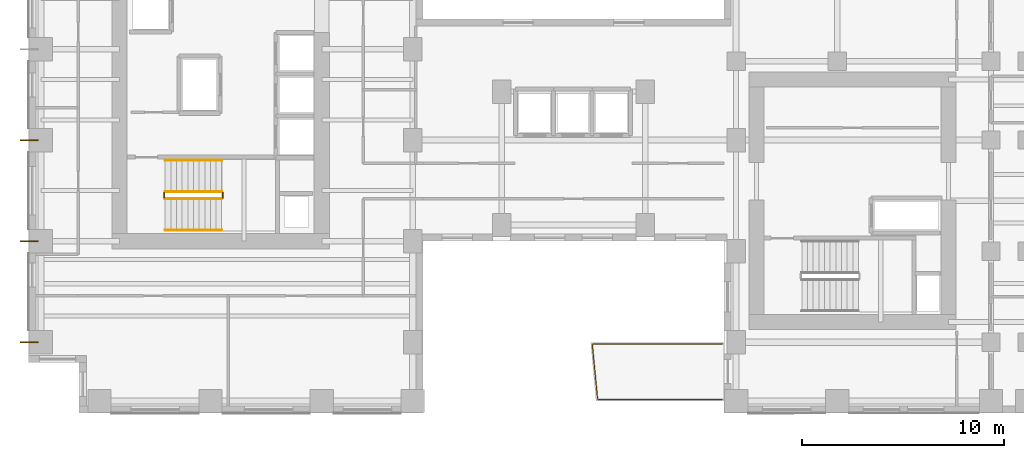
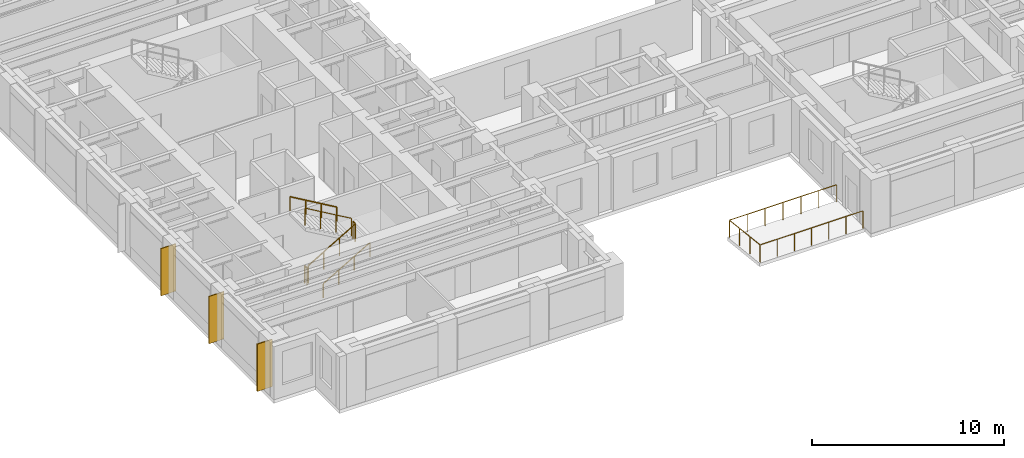
# One storey, part 10 of 12: 7 railings, 3 coverings.
"""IFC4 building model written with IfcOpenShell, lengths in metres."""

import ifcopenshell
import ifcopenshell.guid

model = None  # the IFC model being written
_history = None  # IfcOwnerHistory: only IFC2X3 demands one
_inside = {}  # id of a spatial element -> (the spatial element, [elements in it])
_under = {}  # id of a project, library or spatial element -> (it, [spatial elements below it])
_declared = {}  # id of a project -> (the project, [libraries it declares])
_typed = {}  # id of a type object -> (the type object, [elements of that type])
_made_of = {}  # id of a material, layer set ... -> (it, [elements and type objects made of it])


def new_model(schema):
    """Start an empty IFC model of exactly this schema.

    Asked for "IFC4X3", IfcOpenShell would pick the latest addendum, in which some entities
    have other attributes; the version numbers below select the first issue.
    IFC2X3 requires an IfcOwnerHistory on every rooted entity: one is made here for all.
    """
    global model, _history
    if schema == "IFC4X3":
        model = ifcopenshell.file(schema_version=(4, 3, 0, 0))
    else:
        model = ifcopenshell.file(schema=schema)
    _inside.clear()
    _under.clear()
    _declared.clear()
    _typed.clear()
    _made_of.clear()
    _history = None
    if model.schema == "IFC2X3":
        org = make("IfcOrganization", Name="unknown")
        user = make(
            "IfcPersonAndOrganization",
            ThePerson=make("IfcPerson", FamilyName="unknown"),
            TheOrganization=org,
        )
        app = make(
            "IfcApplication",
            ApplicationDeveloper=org,
            Version="unknown",
            ApplicationFullName="unknown",
            ApplicationIdentifier="unknown",
        )
        _history = make(
            "IfcOwnerHistory",
            OwningUser=user,
            OwningApplication=app,
            ChangeAction="ADDED",
            CreationDate=0,
        )
    return model


def make(cls, **values):
    """One entity of the class cls with the attributes given. An attribute that is None is left unset."""
    return model.create_entity(
        cls, **{name: value for name, value in values.items() if value is not None}
    )


def rooted(cls, **values):
    """An entity with a GlobalId (a new one), such as an element, a storey or a relation."""
    return make(cls, GlobalId=ifcopenshell.guid.new(), OwnerHistory=_history, **values)


def si_unit(unit_type, name, prefix=None):
    """IfcSIUnit, for example si_unit("LENGTHUNIT", "METRE", prefix="MILLI")."""
    return make("IfcSIUnit", UnitType=unit_type, Prefix=prefix, Name=name)


def assignment(units):
    """IfcUnitAssignment: the units of a project."""
    return None if units is None else make("IfcUnitAssignment", Units=units)


def point(xyz):
    """IfcCartesianPoint."""
    return None if xyz is None else make("IfcCartesianPoint", Coordinates=xyz)


def direction(xyz):
    """IfcDirection."""
    return None if xyz is None else make("IfcDirection", DirectionRatios=xyz)


def frame(location, z_axis=None, x_axis=None):
    """IfcAxis2Placement3D, a coordinate frame: its origin and axes. An axis left out is left unset."""
    return make(
        "IfcAxis2Placement3D",
        Location=point(location),
        Axis=direction(z_axis),
        RefDirection=direction(x_axis),
    )


def frame_2d(location, x_axis=None):
    """IfcAxis2Placement2D, a coordinate frame in the plane: its origin and x axis."""
    return make(
        "IfcAxis2Placement2D", Location=point(location), RefDirection=direction(x_axis)
    )


def origin():
    """The frame at (0, 0, 0) with its axes left unset."""
    return frame((0.0, 0.0, 0.0))


def origin_2d():
    """The frame at (0, 0) in the plane with its x axis left unset."""
    return frame_2d((0.0, 0.0))


def place(relative_to, where):
    """IfcLocalPlacement: puts the frame where relative to a parent placement (None: the world)."""
    return make(
        "IfcLocalPlacement", PlacementRelTo=relative_to, RelativePlacement=where
    )


def context(
    kind, dimensions, precision=None, world=None, true_north=None, identifier=None
):
    """IfcGeometricRepresentationContext, for example the 3D "Model" context."""
    return make(
        "IfcGeometricRepresentationContext",
        ContextIdentifier=identifier,
        ContextType=kind,
        CoordinateSpaceDimension=dimensions,
        Precision=precision,
        WorldCoordinateSystem=world,
        TrueNorth=true_north,
    )


def subcontext(parent, identifier, kind, view, scale=None):
    """IfcGeometricRepresentationSubContext, for example "Body" below "Model"."""
    return make(
        "IfcGeometricRepresentationSubContext",
        ContextIdentifier=identifier,
        ContextType=kind,
        ParentContext=parent,
        TargetScale=scale,
        TargetView=view,
    )


def project(units=None, contexts=None):
    """IfcProject with its units and contexts."""
    return rooted(
        "IfcProject",
        Name="project",
        RepresentationContexts=contexts,
        UnitsInContext=assignment(units),
    )


def spatial(cls, under=None, at=None, **own):
    """A site, building, storey or space (cls), placed at a placement, below another one or the project."""
    s = rooted(cls, ObjectPlacement=at, **own)
    if under is not None:
        _under.setdefault(under.id(), (under, []))[1].append(s)
    return s


def profile(cls, at=None, kind="AREA", **sizes):
    """A parametric profile (cls). Its sizes go by their IFC names, for example OverallWidth=200.0."""
    return make(cls, ProfileType=kind, Position=at, **sizes)


def rectangle(**sizes):
    """IfcRectangleProfileDef."""
    return profile("IfcRectangleProfileDef", **sizes)


def circle(**sizes):
    """IfcCircleProfileDef."""
    return profile("IfcCircleProfileDef", **sizes)


def extrude(swept, where, along, depth):
    """IfcExtrudedAreaSolid: the profile swept, set in the frame where, extruded along a direction by depth."""
    return make(
        "IfcExtrudedAreaSolid",
        SweptArea=swept,
        Position=where,
        ExtrudedDirection=direction(along),
        Depth=depth,
    )


def shape(context_of_items, identifier, shape_type, items):
    """IfcShapeRepresentation: the items that make up one representation, for example the "Body"."""
    return make(
        "IfcShapeRepresentation",
        ContextOfItems=context_of_items,
        RepresentationIdentifier=identifier,
        RepresentationType=shape_type,
        Items=items,
    )


def source(mapping_origin, context_of_items, identifier, shape_type, items):
    """IfcRepresentationMap: a shape defined once, which mapped items show again and again."""
    return make(
        "IfcRepresentationMap",
        MappingOrigin=mapping_origin,
        MappedRepresentation=shape(context_of_items, identifier, shape_type, items),
    )


def transform(
    local_origin,
    x_axis=None,
    y_axis=None,
    z_axis=None,
    scale=None,
    scale2=None,
    scale3=None,
    uniform=True,
):
    """IfcCartesianTransformationOperator3D, or its non-uniform kind. x_axis, y_axis, z_axis: its Axis1, 2, 3."""
    if uniform:
        return make(
            "IfcCartesianTransformationOperator3D",
            Axis1=direction(x_axis),
            Axis2=direction(y_axis),
            LocalOrigin=point(local_origin),
            Scale=scale,
            Axis3=direction(z_axis),
        )
    return make(
        "IfcCartesianTransformationOperator3DnonUniform",
        Axis1=direction(x_axis),
        Axis2=direction(y_axis),
        LocalOrigin=point(local_origin),
        Scale=scale,
        Axis3=direction(z_axis),
        Scale2=scale2,
        Scale3=scale3,
    )


def mapped(mapping_source, mapping_target):
    """IfcMappedItem: shows the shape of a source again, moved by a transform."""
    return make(
        "IfcMappedItem", MappingSource=mapping_source, MappingTarget=mapping_target
    )


def material(Name=None, Category=None):
    """IfcMaterial."""
    return make("IfcMaterial", Name=Name, Category=Category)


def layer(
    of_material, thickness, ventilated=None, Name=None, Category=None, Priority=None
):
    """IfcMaterialLayer: one layer of a wall or slab, of a material (None: an air gap)."""
    return make(
        "IfcMaterialLayer",
        Material=of_material,
        LayerThickness=thickness,
        IsVentilated=ventilated,
        Name=Name,
        Category=Category,
        Priority=Priority,
    )


def layer_set(layers, Name=None):
    """IfcMaterialLayerSet."""
    return make("IfcMaterialLayerSet", MaterialLayers=layers, LayerSetName=Name)


def made_of(thing, what):
    """Note that an element or type object is made of a material, layer set ...; save() writes the relation."""
    if what is not None:
        _made_of.setdefault(what.id(), (what, []))[1].append(thing)
    return thing


def type_object(cls, material=None, **own):
    """A type object (cls), such as IfcWallType, which elements share."""
    return made_of(rooted(cls, **own), material)


def element(
    cls,
    number,
    at=None,
    inside=None,
    cuts=None,
    type_object=None,
    material=None,
    context=None,
    identifier="Body",
    shape_type=None,
    held_by="IfcProductDefinitionShape",
    body=None,
    shapes=None,
    **own,
):
    """One element of the class cls, such as IfcWall. Its Tag is "e" and its number.

    at: its placement. inside: the storey or other place that contains it. cuts: it is an
    opening in that element (IfcRelVoidsElement). A single representation is given by context,
    identifier, shape_type and body (its items); several are given by shapes. held_by: the class
    of the entity that holds the representations. save() writes the other relations.
    """
    e = rooted(cls, Tag="e%d" % number, ObjectPlacement=at, **own)
    if body is not None:
        shapes = [shape(context, identifier, shape_type, body)]
    if shapes is not None:
        e.Representation = make(held_by, Representations=shapes)
    if inside is not None:
        _inside.setdefault(inside.id(), (inside, []))[1].append(e)
    if cuts is not None:
        rooted(
            "IfcRelVoidsElement", RelatingBuildingElement=cuts, RelatedOpeningElement=e
        )
    if type_object is not None:
        _typed.setdefault(type_object.id(), (type_object, []))[1].append(e)
    return made_of(e, material)


def aggregate(whole, parts):
    """IfcRelAggregates: a whole, such as a stair, and the parts it consists of."""
    return rooted("IfcRelAggregates", RelatingObject=whole, RelatedObjects=parts)


def save(model, path):
    """Write the relations noted so far, then the file.

    IfcRelAggregates (storeys below a building ...), IfcRelContainedInSpatialStructure (elements
    in a storey), IfcRelDefinesByType, IfcRelAssociatesMaterial and IfcRelDeclares: one each for
    every whole, place, type object, material and project.
    """
    for whole, parts in _under.values():
        aggregate(whole, parts)
    for where, things in _inside.values():
        rooted(
            "IfcRelContainedInSpatialStructure",
            RelatedElements=things,
            RelatingStructure=where,
        )
    for kind, things in _typed.values():
        rooted("IfcRelDefinesByType", RelatedObjects=things, RelatingType=kind)
    for what, things in _made_of.values():
        rooted("IfcRelAssociatesMaterial", RelatedObjects=things, RelatingMaterial=what)
    for by, libraries in _declared.values():
        rooted("IfcRelDeclares", RelatingContext=by, RelatedDefinitions=libraries)
    model.write(path)


model = new_model("IFC4")

# Units and contexts
model_context = context("Model", 3, precision=1e-05, world=origin(), true_north=direction((0.0, 1.0)))
body_context = subcontext(model_context, "Body", "Model", "MODEL_VIEW")
ifc_project = project(units=[si_unit("LENGTHUNIT", "METRE"), si_unit("AREAUNIT", "SQUARE_METRE"), si_unit("VOLUMEUNIT", "CUBIC_METRE"), si_unit("PLANEANGLEUNIT", "RADIAN"), si_unit("MASSUNIT", "GRAM", prefix="KILO")], contexts=[model_context])

# Site, building, storey
site_placement = place(None, origin())
site = spatial("IfcSite", under=ifc_project, at=site_placement, CompositionType="ELEMENT")
building_placement = place(site_placement, origin())
building = spatial("IfcBuilding", under=site, at=building_placement, Name="Kharzan Plaza Tower", CompositionType="ELEMENT")
storey_placement = place(building_placement, frame((0.0, 0.0, 91.800048828125)))
storey = spatial("IfcBuildingStorey", under=building, at=storey_placement, Name="L24", CompositionType="ELEMENT", Elevation=91.800048828125)

# Railings
ifc_material_1 = material(Name="Painted Galvanized Architectural Steel", Category="steel")
ifc_layer_1 = layer(ifc_material_1, 0.074951171875)
ifc_layer_set_1 = layer_set([ifc_layer_1], Name="Painted Galvanized Architectural Steel")
railing_type_1 = type_object("IfcRailingType", Name="RL-GUARD-1120", PredefinedType="BALUSTRADE", material=ifc_layer_set_1)
shared_shape_1 = source(origin(), body_context, "Body", "SweptSolid", [
    extrude(circle(Radius=0.02392578125, at=origin_2d()), frame((0.0, 0.0263671875, 1.09619140625), z_axis=(0.0, 1.0, 0.0), x_axis=(-1.0, 0.0, 0.0)), (0.0, 0.0, 1.0), 0.197021484375),
    extrude(circle(Radius=0.02099609375, at=origin_2d()), origin(), (0.0, 0.0, 1.0), 1.072021484375),
    extrude(circle(Radius=0.02099609375, at=origin_2d()), frame((0.0, 0.25, 0.0)), (0.0, 0.0, 1.0), 1.072021484375),
])
for number, where, name in (
    (1, (9.60009765625, 10.64990234375, 1.800048828125), "L24 ST-1 stair guard 2"),
    (2, (6.699951171875, 10.64990234375, 0.0), "L24 ST-1 stair guard 4"),
):
    element("IfcRailing", number, at=place(storey_placement, frame(where)), inside=storey, type_object=railing_type_1, Name=name, PredefinedType="BALUSTRADE", context=body_context, shape_type="MappedRepresentation", body=[
        mapped(shared_shape_1, transform((0.0, 0.0, 0.0), x_axis=(1.0, 0.0, 0.0), y_axis=(0.0, 1.0, 0.0), z_axis=(0.0, 0.0, 1.0))),
    ])

# Coverings
ifc_material_2 = material(Name="Honed Riyadh Limestone", Category="masonry")
ifc_layer_2 = layer(ifc_material_2, 0.06005859375)
ifc_layer_set_2 = layer_set([ifc_layer_2], Name="Honed Riyadh Limestone")
covering_type = type_object("IfcCoveringType", Name="COV-CLAD-STONE", PredefinedType="CLADDING", material=ifc_layer_set_2)
shared_shape_2 = source(origin(), body_context, "Body", "SweptSolid", [
    extrude(rectangle(XDim=0.06005859375, YDim=0.89990234375, at=origin_2d()), origin(), (0.0, 0.0, 1.0), 3.0),
])
for number, where, z_axis, x_axis, name in (
    (3, (0.02001953125, 13.5, 0.099853515625), (0.0, 0.0, 1.0), (0.0, 1.0, 0.0), "L24 Limestone Pier Rainscreen Cladding TCW-135"),
    (4, (0.02001953125, 3.5, 0.099853515625), (0.0, 0.0, 1.0), (0.0, 1.0, 0.0), "L24 Limestone Pier Rainscreen Cladding TCW-35"),
    (5, (0.02001953125, 8.5, 0.099853515625), (0.0, 0.0, 1.0), (0.0, 1.0, 0.0), "L24 Limestone Pier Rainscreen Cladding TCW-85"),
):
    element("IfcCovering", number, at=place(storey_placement, frame(where, z_axis=z_axis, x_axis=x_axis)), inside=storey, type_object=covering_type, Name=name, PredefinedType="CLADDING", context=body_context, shape_type="MappedRepresentation", body=[
        mapped(shared_shape_2, transform((0.0, 0.0, 0.0), x_axis=(1.0, 0.0, 0.0), y_axis=(0.0, 1.0, 0.0), z_axis=(0.0, 0.0, 1.0))),
    ])

# Railings
shared_shape_3 = source(origin(), body_context, "Body", "SweptSolid", [
    extrude(circle(Radius=0.02392578125, at=origin_2d()), frame((0.02294921875, 0.0, 1.109375), z_axis=(0.863360870873, 0.0, 0.504586966384), x_axis=(0.0, 1.0, 0.0)), (0.0, 0.0, 1.0), 3.190185546875),
    extrude(circle(Radius=0.02099609375, at=origin_2d()), origin(), (0.0, 0.0, 1.0), 1.072021484375),
    extrude(circle(Radius=0.02099609375, at=origin_2d()), frame((0.933349609375, 0.0, 0.54541015625)), (0.0, 0.0, 1.0), 1.072021484375),
    extrude(circle(Radius=0.02099609375, at=origin_2d()), frame((1.86669921875, 0.0, 1.091064453125)), (0.0, 0.0, 1.0), 1.072021484375),
    extrude(circle(Radius=0.02099609375, at=origin_2d()), frame((2.800048828125, 0.0, 1.636474609375)), (0.0, 0.0, 1.0), 1.072021484375),
])
railing_1_placement = place(storey_placement, frame((6.75, 10.60009765625, 0.16357421875)))
element("IfcRailing", 6, at=railing_1_placement, inside=storey, type_object=railing_type_1, Name="L24 ST-1 stair guard 1", PredefinedType="BALUSTRADE", context=body_context, shape_type="MappedRepresentation", body=[
    mapped(shared_shape_3, transform((0.0, 0.0, 0.0), x_axis=(1.0, 0.0, 0.0), y_axis=(0.0, 1.0, 0.0), z_axis=(0.0, 0.0, 1.0))),
])
ifc_material_3 = material(Name="Brushed Stainless Steel", Category="steel")
ifc_layer_3 = layer(ifc_material_3, 0.050048828125)
ifc_layer_set_3 = layer_set([ifc_layer_3], Name="Brushed Stainless Steel")
railing_type_2 = type_object("IfcRailingType", Name="RL-STAIR-HR920", PredefinedType="HANDRAIL", material=ifc_layer_set_3)
shared_shape_4 = source(origin(), body_context, "Body", "SweptSolid", [
    extrude(circle(Radius=0.02392578125, at=origin_2d()), frame((0.02294921875, 0.0, 0.88916015625), z_axis=(0.863360870873, 0.0, 0.504586966384), x_axis=(0.0, 1.0, 0.0)), (0.0, 0.0, 1.0), 3.190185546875),
    extrude(circle(Radius=0.02099609375, at=origin_2d()), origin(), (0.0, 0.0, 1.0), 0.851806640625),
    extrude(circle(Radius=0.02099609375, at=origin_2d()), frame((0.933349609375, 0.0, 0.54541015625)), (0.0, 0.0, 1.0), 0.851806640625),
    extrude(circle(Radius=0.02099609375, at=origin_2d()), frame((1.86669921875, 0.0, 1.091064453125)), (0.0, 0.0, 1.0), 0.851806640625),
    extrude(circle(Radius=0.02099609375, at=origin_2d()), frame((2.800048828125, 0.0, 1.636474609375)), (0.0, 0.0, 1.0), 0.851806640625),
])
railing_2_placement = place(storey_placement, frame((6.75, 9.050048828125, 0.16357421875)))
element("IfcRailing", 7, at=railing_2_placement, inside=storey, type_object=railing_type_2, Name="L24 ST-1 stair handrail 1", PredefinedType="HANDRAIL", context=body_context, shape_type="MappedRepresentation", body=[
    mapped(shared_shape_4, transform((0.0, 0.0, 0.0), x_axis=(1.0, 0.0, 0.0), y_axis=(0.0, 1.0, 0.0), z_axis=(0.0, 0.0, 1.0))),
])
shared_shape_5 = source(origin(), body_context, "Body", "SweptSolid", [
    extrude(circle(Radius=0.02392578125, at=origin_2d()), frame((-0.02294921875, 0.0, 1.109375), z_axis=(-0.863393664356, 0.0, 0.504530851732), x_axis=(0.0, -1.0, 0.0)), (0.0, 0.0, 1.0), 3.190185546875),
    extrude(circle(Radius=0.02099609375, at=origin_2d()), origin(), (0.0, 0.0, 1.0), 1.072021484375),
    extrude(circle(Radius=0.02099609375, at=origin_2d()), frame((-0.933349609375, 0.0, 0.54541015625)), (0.0, 0.0, 1.0), 1.072021484375),
    extrude(circle(Radius=0.02099609375, at=origin_2d()), frame((-1.86669921875, 0.0, 1.0908203125)), (0.0, 0.0, 1.0), 1.072021484375),
    extrude(circle(Radius=0.02099609375, at=origin_2d()), frame((-2.800048828125, 0.0, 1.63623046875)), (0.0, 0.0, 1.0), 1.072021484375),
])
railing_3_placement = place(storey_placement, frame((9.550048828125, 10.949951171875, 1.963623046875)))
element("IfcRailing", 8, at=railing_3_placement, inside=storey, type_object=railing_type_1, Name="L24 ST-1 stair guard 3", PredefinedType="BALUSTRADE", context=body_context, shape_type="MappedRepresentation", body=[
    mapped(shared_shape_5, transform((0.0, 0.0, 0.0), x_axis=(1.0, 0.0, 0.0), y_axis=(0.0, 1.0, 0.0), z_axis=(0.0, 0.0, 1.0))),
])
shared_shape_6 = source(origin(), body_context, "Body", "SweptSolid", [
    extrude(circle(Radius=0.02392578125, at=origin_2d()), frame((-0.02294921875, 0.0, 0.88916015625), z_axis=(-0.863393664356, 0.0, 0.504530851732), x_axis=(0.0, -1.0, 0.0)), (0.0, 0.0, 1.0), 3.190185546875),
    extrude(circle(Radius=0.02099609375, at=origin_2d()), origin(), (0.0, 0.0, 1.0), 0.851806640625),
    extrude(circle(Radius=0.02099609375, at=origin_2d()), frame((-0.933349609375, 0.0, 0.54541015625)), (0.0, 0.0, 1.0), 0.851806640625),
    extrude(circle(Radius=0.02099609375, at=origin_2d()), frame((-1.86669921875, 0.0, 1.0908203125)), (0.0, 0.0, 1.0), 0.851806640625),
    extrude(circle(Radius=0.02099609375, at=origin_2d()), frame((-2.800048828125, 0.0, 1.63623046875)), (0.0, 0.0, 1.0), 0.851806640625),
])
railing_4_placement = place(storey_placement, frame((9.550048828125, 12.5, 1.963623046875)))
element("IfcRailing", 9, at=railing_4_placement, inside=storey, type_object=railing_type_2, Name="L24 ST-1 stair handrail 2", PredefinedType="HANDRAIL", context=body_context, shape_type="MappedRepresentation", body=[
    mapped(shared_shape_6, transform((0.0, 0.0, 0.0), x_axis=(1.0, 0.0, 0.0), y_axis=(0.0, 1.0, 0.0), z_axis=(0.0, 0.0, 1.0))),
])
shared_shape_7 = source(origin(), body_context, "Body", "SweptSolid", [
    extrude(circle(Radius=0.02392578125, at=origin_2d()), frame((-0.0263671875, 0.0, 1.09619140625), z_axis=(-1.0, 0.0, 0.0), x_axis=(0.0, -1.0, 0.0)), (0.0, 0.0, 1.0), 6.123046875),
    extrude(circle(Radius=0.02392578125, at=origin_2d()), frame((-6.178466796875, 0.0263671875, 1.09619140625), z_axis=(-0.095964210763, 0.995384785022, 0.0), x_axis=(-0.995384785022, -0.095964210763, 0.0)), (0.0, 0.0, 1.0), 2.69970703125),
    extrude(circle(Radius=0.02392578125, at=origin_2d()), frame((-6.413818359375, 2.739990234375, 1.09619140625), z_axis=(1.0, 0.0, 0.0), x_axis=(0.0, 1.0, 0.0)), (0.0, 0.0, 1.0), 6.38720703125),
    extrude(circle(Radius=0.02099609375, at=origin_2d()), origin(), (0.0, 0.0, 1.0), 1.072021484375),
    extrude(circle(Radius=0.02099609375, at=origin_2d()), frame((-1.029296875, 0.0, 0.0)), (0.0, 0.0, 1.0), 1.072021484375),
    extrude(circle(Radius=0.02099609375, at=origin_2d()), frame((-2.05859375, 0.0, 0.0)), (0.0, 0.0, 1.0), 1.072021484375),
    extrude(circle(Radius=0.02099609375, at=origin_2d()), frame((-3.087890625, 0.0, 0.0)), (0.0, 0.0, 1.0), 1.072021484375),
    extrude(circle(Radius=0.02099609375, at=origin_2d()), frame((-4.117431640625, 0.0, 0.0)), (0.0, 0.0, 1.0), 1.072021484375),
    extrude(circle(Radius=0.02099609375, at=origin_2d()), frame((-5.146728515625, 0.0, 0.0)), (0.0, 0.0, 1.0), 1.072021484375),
    extrude(circle(Radius=0.02099609375, at=origin_2d()), frame((-6.176025390625, 0.0, 0.0)), (0.0, 0.0, 1.0), 1.072021484375),
    extrude(circle(Radius=0.02099609375, at=origin_2d()), frame((-6.26416015625, 0.913330078125, 0.0)), (0.0, 0.0, 1.0), 1.072021484375),
    extrude(circle(Radius=0.02099609375, at=origin_2d()), frame((-6.35205078125, 1.82666015625, 0.0)), (0.0, 0.0, 1.0), 1.072021484375),
    extrude(circle(Radius=0.02099609375, at=origin_2d()), frame((-6.440185546875, 2.739990234375, 0.0)), (0.0, 0.0, 1.0), 1.072021484375),
    extrude(circle(Radius=0.02099609375, at=origin_2d()), frame((-5.36669921875, 2.739990234375, 0.0)), (0.0, 0.0, 1.0), 1.072021484375),
    extrude(circle(Radius=0.02099609375, at=origin_2d()), frame((-4.29345703125, 2.739990234375, 0.0)), (0.0, 0.0, 1.0), 1.072021484375),
    extrude(circle(Radius=0.02099609375, at=origin_2d()), frame((-3.22021484375, 2.739990234375, 0.0)), (0.0, 0.0, 1.0), 1.072021484375),
    extrude(circle(Radius=0.02099609375, at=origin_2d()), frame((-2.146728515625, 2.739990234375, 0.0)), (0.0, 0.0, 1.0), 1.072021484375),
    extrude(circle(Radius=0.02099609375, at=origin_2d()), frame((-1.0732421875, 2.739990234375, 0.0)), (0.0, 0.0, 1.0), 1.072021484375),
    extrude(circle(Radius=0.02099609375, at=origin_2d()), frame((0.0, 2.739990234375, 0.0)), (0.0, 0.0, 1.0), 1.072021484375),
])
railing_5_placement = place(storey_placement, frame((34.320068359375, 0.679931640625, 0.0)))
element("IfcRailing", 10, at=railing_5_placement, inside=storey, type_object=railing_type_1, Name="L24 Cantilevered Sky-Terrace Tray Balustrade", PredefinedType="BALUSTRADE", context=body_context, shape_type="MappedRepresentation", body=[
    mapped(shared_shape_7, transform((0.0, 0.0, 0.0), x_axis=(1.0, 0.0, 0.0), y_axis=(0.0, 1.0, 0.0), z_axis=(0.0, 0.0, 1.0))),
])

save(model, "model.ifc")
